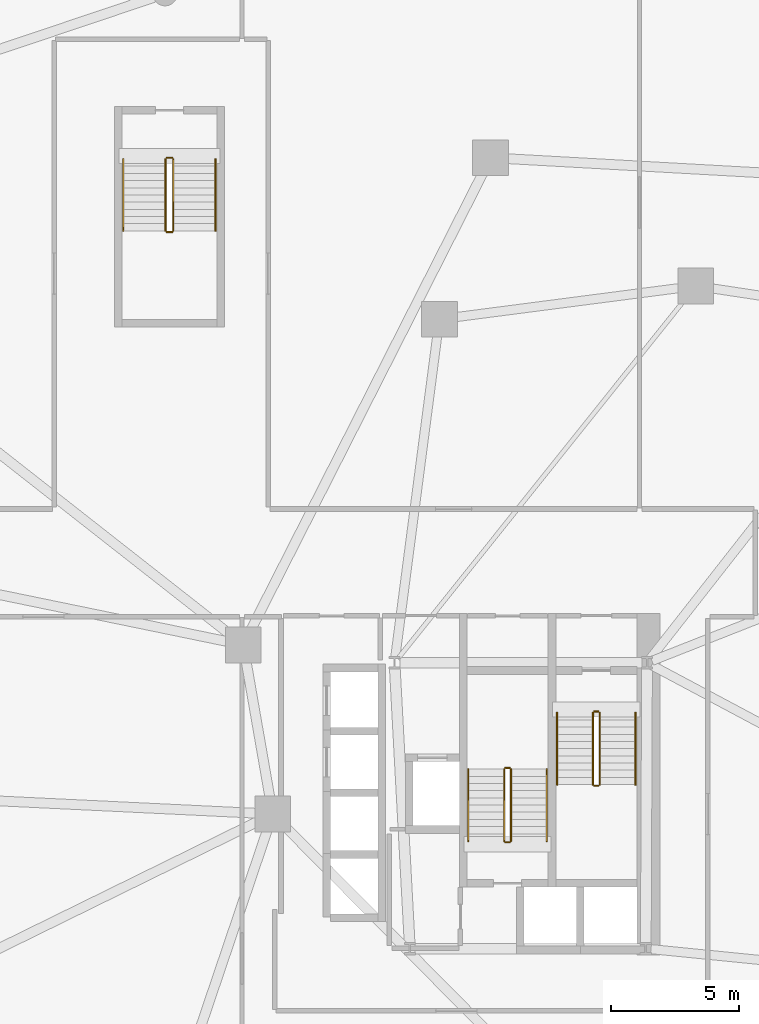
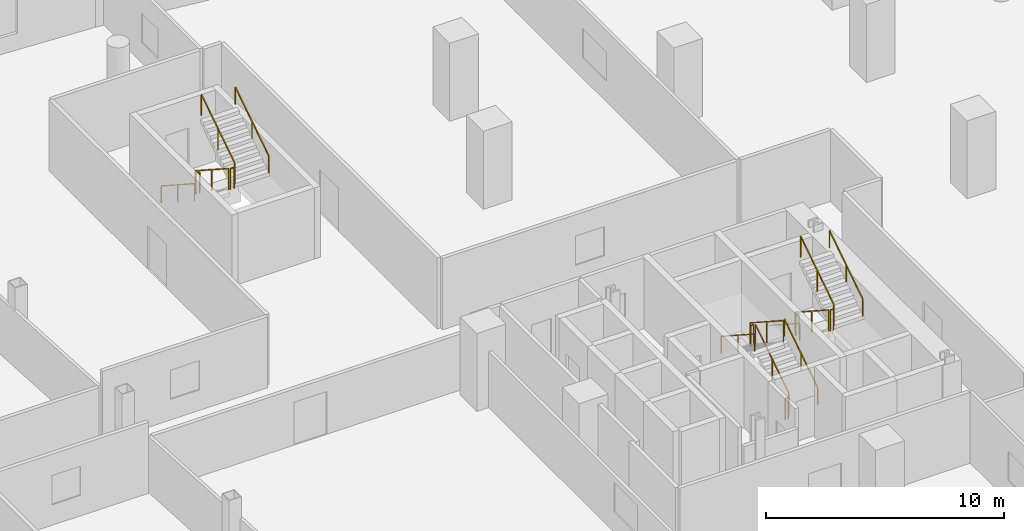
# One storey, part 19 of 19: 18 railings.
"""IFC4 building model written with IfcOpenShell, lengths in metres."""

from ifc_helpers import new_model, si_unit, direction, frame, origin, origin_2d, place, context, subcontext, project, spatial, rectangle, extrude, material, type_object, element, save


model = new_model("IFC4")

# Units and contexts
model_context = context("Model", 3, precision=1e-05, world=origin(), true_north=direction((0.0, 1.0)))
body_context = subcontext(model_context, "Body", "Model", "MODEL_VIEW")
ifc_project = project(units=[si_unit("LENGTHUNIT", "METRE"), si_unit("AREAUNIT", "SQUARE_METRE"), si_unit("VOLUMEUNIT", "CUBIC_METRE"), si_unit("PLANEANGLEUNIT", "RADIAN"), si_unit("MASSUNIT", "GRAM", prefix="KILO"), si_unit("THERMODYNAMICTEMPERATUREUNIT", "KELVIN"), si_unit("POWERUNIT", "WATT")], contexts=[model_context])

# Site, building, storey
site_placement = place(None, origin())
site = spatial("IfcSite", under=ifc_project, at=site_placement, CompositionType="ELEMENT")
building_placement = place(site_placement, origin())
building = spatial("IfcBuilding", under=site, at=building_placement, Name="Cundina Bronze Exchange", CompositionType="ELEMENT")
storey_placement = place(building_placement, frame((0.0, 0.0, 16.0)))
storey = spatial("IfcBuildingStorey", under=building, at=storey_placement, Name="L03", CompositionType="ELEMENT", Elevation=16.0)

# Railings
ifc_material = material(Name="Steel ASTM A36 Painted", Category="steel")
railing_type_1 = type_object("IfcRailingType", Name="RLG-HND-900", PredefinedType="HANDRAIL", material=ifc_material)
railing_1_placement = place(storey_placement, frame((27.7900390625, -5.85009765625, 0.181884765625)))
element("IfcRailing", 1, at=railing_1_placement, inside=storey, type_object=railing_type_1, Name="L03 ST-E1 stair handrail 1", PredefinedType="HANDRAIL", context=body_context, shape_type="SweptSolid", body=[
    extrude(rectangle(XDim=0.048095703125, YDim=0.048095703125, at=origin_2d()), frame((0.0, 0.0, 0.8759765625), z_axis=(0.0, -0.83868413941, 0.544618136222), x_axis=(1.0, 0.0, 0.0)), (0.0, 0.0, 1.0), 3.33837890625),
    extrude(rectangle(XDim=0.0419921875, YDim=0.0419921875, at=origin_2d()), origin(), (0.0, 0.0, 1.0), 0.851806640625),
    extrude(rectangle(XDim=0.0419921875, YDim=0.0419921875, at=origin_2d()), frame((0.0, -1.39990234375, 0.9091796875)), (0.0, 0.0, 1.0), 0.851806640625),
    extrude(rectangle(XDim=0.0419921875, YDim=0.0419921875, at=origin_2d()), frame((0.0, -2.7998046875, 1.818115234375)), (0.0, 0.0, 1.0), 0.851806640625),
])
railing_2_placement = place(storey_placement, frame((30.85009765625, -8.64990234375, 2.181884765625)))
element("IfcRailing", 2, at=railing_2_placement, inside=storey, type_object=railing_type_1, Name="L03 ST-E1 stair handrail 2", PredefinedType="HANDRAIL", context=body_context, shape_type="SweptSolid", body=[
    extrude(rectangle(XDim=0.048095703125, YDim=0.048095703125, at=origin_2d()), frame((0.0, 0.0, 0.8759765625), z_axis=(0.0, 0.83868413941, 0.544618136222), x_axis=(-1.0, 0.0, 0.0)), (0.0, 0.0, 1.0), 3.33837890625),
    extrude(rectangle(XDim=0.0419921875, YDim=0.0419921875, at=origin_2d()), origin(), (0.0, 0.0, 1.0), 0.851806640625),
    extrude(rectangle(XDim=0.0419921875, YDim=0.0419921875, at=origin_2d()), frame((0.0, 1.39990234375, 0.9091796875)), (0.0, 0.0, 1.0), 0.851806640625),
    extrude(rectangle(XDim=0.0419921875, YDim=0.0419921875, at=origin_2d()), frame((0.0, 2.7998046875, 1.818115234375)), (0.0, 0.0, 1.0), 0.851806640625),
])
railing_3_placement = place(storey_placement, frame((27.389892578125, -10.85009765625, 0.181884765625)))
element("IfcRailing", 3, at=railing_3_placement, inside=storey, type_object=railing_type_1, Name="L03 ST-E2 stair handrail 1", PredefinedType="HANDRAIL", context=body_context, shape_type="SweptSolid", body=[
    extrude(rectangle(XDim=0.048095703125, YDim=0.048095703125, at=origin_2d()), frame((0.0, 0.0, 0.8759765625), z_axis=(0.0, 0.838705829183, 0.544584733623), x_axis=(-1.0, 0.0, 0.0)), (0.0, 0.0, 1.0), 3.338623046875),
    extrude(rectangle(XDim=0.0419921875, YDim=0.0419921875, at=origin_2d()), origin(), (0.0, 0.0, 1.0), 0.851806640625),
    extrude(rectangle(XDim=0.0419921875, YDim=0.0419921875, at=origin_2d()), frame((0.0, 1.39990234375, 0.9091796875)), (0.0, 0.0, 1.0), 0.851806640625),
    extrude(rectangle(XDim=0.0419921875, YDim=0.0419921875, at=origin_2d()), frame((0.0, 2.800048828125, 1.818115234375)), (0.0, 0.0, 1.0), 0.851806640625),
])
for number, where, name in (
    (4, (24.330078125, -8.050048828125, 2.181884765625), "L03 ST-E2 stair handrail 2"),
    (5, (10.8701171875, 15.75, 0.181884765625), "L03 ST-PE stair handrail 1"),
):
    element("IfcRailing", number, at=place(storey_placement, frame(where)), inside=storey, type_object=railing_type_1, Name=name, PredefinedType="HANDRAIL", context=body_context, shape_type="SweptSolid", body=[
        extrude(rectangle(XDim=0.048095703125, YDim=0.048095703125, at=origin_2d()), frame((0.0, 0.0, 0.8759765625), z_axis=(0.0, -0.838705829183, 0.544584733623), x_axis=(1.0, 0.0, 0.0)), (0.0, 0.0, 1.0), 3.338623046875),
        extrude(rectangle(XDim=0.0419921875, YDim=0.0419921875, at=origin_2d()), origin(), (0.0, 0.0, 1.0), 0.851806640625),
        extrude(rectangle(XDim=0.0419921875, YDim=0.0419921875, at=origin_2d()), frame((0.0, -1.39990234375, 0.9091796875)), (0.0, 0.0, 1.0), 0.851806640625),
        extrude(rectangle(XDim=0.0419921875, YDim=0.0419921875, at=origin_2d()), frame((0.0, -2.800048828125, 1.818115234375)), (0.0, 0.0, 1.0), 0.851806640625),
    ])
railing_4_placement = place(storey_placement, frame((14.469970703125, 12.949951171875, 2.181884765625)))
element("IfcRailing", 6, at=railing_4_placement, inside=storey, type_object=railing_type_1, Name="L03 ST-PE stair handrail 2", PredefinedType="HANDRAIL", context=body_context, shape_type="SweptSolid", body=[
    extrude(rectangle(XDim=0.048095703125, YDim=0.048095703125, at=origin_2d()), frame((0.0, 0.0, 0.8759765625), z_axis=(0.0, 0.838705829183, 0.544584733623), x_axis=(-1.0, 0.0, 0.0)), (0.0, 0.0, 1.0), 3.338623046875),
    extrude(rectangle(XDim=0.0419921875, YDim=0.0419921875, at=origin_2d()), origin(), (0.0, 0.0, 1.0), 0.851806640625),
    extrude(rectangle(XDim=0.0419921875, YDim=0.0419921875, at=origin_2d()), frame((0.0, 1.39990234375, 0.9091796875)), (0.0, 0.0, 1.0), 0.851806640625),
    extrude(rectangle(XDim=0.0419921875, YDim=0.0419921875, at=origin_2d()), frame((0.0, 2.800048828125, 1.818115234375)), (0.0, 0.0, 1.0), 0.851806640625),
])
railing_type_2 = type_object("IfcRailingType", Name="RLG-STG-1100", PredefinedType="GUARDRAIL", material=ifc_material)
railing_5_placement = place(storey_placement, frame((29.18994140625, -5.85009765625, 0.181884765625)))
element("IfcRailing", 7, at=railing_5_placement, inside=storey, type_object=railing_type_2, Name="L03 ST-E1 stair guard 1", PredefinedType="GUARDRAIL", context=body_context, shape_type="SweptSolid", body=[
    extrude(rectangle(XDim=0.048095703125, YDim=0.048095703125, at=origin_2d()), frame((0.0, 0.0, 1.076171875), z_axis=(0.0, -0.83868413941, 0.544618136222), x_axis=(1.0, 0.0, 0.0)), (0.0, 0.0, 1.0), 3.33837890625),
    extrude(rectangle(XDim=0.0419921875, YDim=0.0419921875, at=origin_2d()), origin(), (0.0, 0.0, 1.0), 1.052001953125),
    extrude(rectangle(XDim=0.0419921875, YDim=0.0419921875, at=origin_2d()), frame((0.0, -1.39990234375, 0.9091796875)), (0.0, 0.0, 1.0), 1.052001953125),
    extrude(rectangle(XDim=0.0419921875, YDim=0.0419921875, at=origin_2d()), frame((0.0, -2.7998046875, 1.818115234375)), (0.0, 0.0, 1.0), 1.052001953125),
])
railing_6_placement = place(storey_placement, frame((29.239990234375, -8.699951171875, 2.0)))
element("IfcRailing", 8, at=railing_6_placement, inside=storey, type_object=railing_type_2, Name="L03 ST-E1 stair guard 2", PredefinedType="GUARDRAIL", context=body_context, shape_type="SweptSolid", body=[
    extrude(rectangle(XDim=0.048095703125, YDim=0.048095703125, at=origin_2d()), frame((0.0, 0.0, 1.076171875), z_axis=(1.0, 0.0, 0.0), x_axis=(0.0, 1.0, 0.0)), (0.0, 0.0, 1.0), 0.159912109375),
    extrude(rectangle(XDim=0.0419921875, YDim=0.0419921875, at=origin_2d()), origin(), (0.0, 0.0, 1.0), 1.052001953125),
    extrude(rectangle(XDim=0.0419921875, YDim=0.0419921875, at=origin_2d()), frame((0.159912109375, 0.0, 0.0)), (0.0, 0.0, 1.0), 1.052001953125),
])
railing_7_placement = place(storey_placement, frame((29.449951171875, -8.64990234375, 2.181884765625)))
element("IfcRailing", 9, at=railing_7_placement, inside=storey, type_object=railing_type_2, Name="L03 ST-E1 stair guard 3", PredefinedType="GUARDRAIL", context=body_context, shape_type="SweptSolid", body=[
    extrude(rectangle(XDim=0.048095703125, YDim=0.048095703125, at=origin_2d()), frame((0.0, 0.0, 1.076171875), z_axis=(0.0, 0.83868413941, 0.544618136222), x_axis=(-1.0, 0.0, 0.0)), (0.0, 0.0, 1.0), 3.33837890625),
    extrude(rectangle(XDim=0.0419921875, YDim=0.0419921875, at=origin_2d()), origin(), (0.0, 0.0, 1.0), 1.052001953125),
    extrude(rectangle(XDim=0.0419921875, YDim=0.0419921875, at=origin_2d()), frame((0.0, 1.39990234375, 0.9091796875)), (0.0, 0.0, 1.0), 1.052001953125),
    extrude(rectangle(XDim=0.0419921875, YDim=0.0419921875, at=origin_2d()), frame((0.0, 2.7998046875, 1.818115234375)), (0.0, 0.0, 1.0), 1.052001953125),
])
railing_8_placement = place(storey_placement, frame((29.239990234375, -5.800048828125, 0.0)))
element("IfcRailing", 10, at=railing_8_placement, inside=storey, type_object=railing_type_2, Name="L03 ST-E1 stair guard 4", PredefinedType="GUARDRAIL", context=body_context, shape_type="SweptSolid", body=[
    extrude(rectangle(XDim=0.048095703125, YDim=0.048095703125, at=origin_2d()), frame((0.0, 0.0, 1.076171875), z_axis=(1.0, 0.0, 0.0), x_axis=(0.0, 1.0, 0.0)), (0.0, 0.0, 1.0), 0.159912109375),
    extrude(rectangle(XDim=0.0419921875, YDim=0.0419921875, at=origin_2d()), origin(), (0.0, 0.0, 1.0), 1.052001953125),
    extrude(rectangle(XDim=0.0419921875, YDim=0.0419921875, at=origin_2d()), frame((0.159912109375, 0.0, 0.0)), (0.0, 0.0, 1.0), 1.052001953125),
])
railing_9_placement = place(storey_placement, frame((25.989990234375, -10.85009765625, 0.181884765625)))
element("IfcRailing", 11, at=railing_9_placement, inside=storey, type_object=railing_type_2, Name="L03 ST-E2 stair guard 1", PredefinedType="GUARDRAIL", context=body_context, shape_type="SweptSolid", body=[
    extrude(rectangle(XDim=0.048095703125, YDim=0.048095703125, at=origin_2d()), frame((0.0, 0.0, 1.076171875), z_axis=(0.0, 0.838705829183, 0.544584733623), x_axis=(-1.0, 0.0, 0.0)), (0.0, 0.0, 1.0), 3.338623046875),
    extrude(rectangle(XDim=0.0419921875, YDim=0.0419921875, at=origin_2d()), origin(), (0.0, 0.0, 1.0), 1.052001953125),
    extrude(rectangle(XDim=0.0419921875, YDim=0.0419921875, at=origin_2d()), frame((0.0, 1.39990234375, 0.9091796875)), (0.0, 0.0, 1.0), 1.052001953125),
    extrude(rectangle(XDim=0.0419921875, YDim=0.0419921875, at=origin_2d()), frame((0.0, 2.800048828125, 1.818115234375)), (0.0, 0.0, 1.0), 1.052001953125),
])
railing_10_placement = place(storey_placement, frame((25.93994140625, -8.0, 2.0)))
element("IfcRailing", 12, at=railing_10_placement, inside=storey, type_object=railing_type_2, Name="L03 ST-E2 stair guard 2", PredefinedType="GUARDRAIL", context=body_context, shape_type="SweptSolid", body=[
    extrude(rectangle(XDim=0.048095703125, YDim=0.048095703125, at=origin_2d()), frame((0.0, 0.0, 1.076171875), z_axis=(-1.0, 0.0, 0.0), x_axis=(0.0, -1.0, 0.0)), (0.0, 0.0, 1.0), 0.159912109375),
    extrude(rectangle(XDim=0.0419921875, YDim=0.0419921875, at=origin_2d()), origin(), (0.0, 0.0, 1.0), 1.052001953125),
    extrude(rectangle(XDim=0.0419921875, YDim=0.0419921875, at=origin_2d()), frame((-0.159912109375, 0.0, 0.0)), (0.0, 0.0, 1.0), 1.052001953125),
])
railing_11_placement = place(storey_placement, frame((25.72998046875, -8.050048828125, 2.181884765625)))
element("IfcRailing", 13, at=railing_11_placement, inside=storey, type_object=railing_type_2, Name="L03 ST-E2 stair guard 3", PredefinedType="GUARDRAIL", context=body_context, shape_type="SweptSolid", body=[
    extrude(rectangle(XDim=0.048095703125, YDim=0.048095703125, at=origin_2d()), frame((0.0, 0.0, 1.076171875), z_axis=(0.0, -0.838705829183, 0.544584733623), x_axis=(1.0, 0.0, 0.0)), (0.0, 0.0, 1.0), 3.338623046875),
    extrude(rectangle(XDim=0.0419921875, YDim=0.0419921875, at=origin_2d()), origin(), (0.0, 0.0, 1.0), 1.052001953125),
    extrude(rectangle(XDim=0.0419921875, YDim=0.0419921875, at=origin_2d()), frame((0.0, -1.39990234375, 0.9091796875)), (0.0, 0.0, 1.0), 1.052001953125),
    extrude(rectangle(XDim=0.0419921875, YDim=0.0419921875, at=origin_2d()), frame((0.0, -2.800048828125, 1.818115234375)), (0.0, 0.0, 1.0), 1.052001953125),
])
railing_12_placement = place(storey_placement, frame((25.93994140625, -10.89990234375, 0.0)))
element("IfcRailing", 14, at=railing_12_placement, inside=storey, type_object=railing_type_2, Name="L03 ST-E2 stair guard 4", PredefinedType="GUARDRAIL", context=body_context, shape_type="SweptSolid", body=[
    extrude(rectangle(XDim=0.048095703125, YDim=0.048095703125, at=origin_2d()), frame((0.0, 0.0, 1.076171875), z_axis=(-1.0, 0.0, 0.0), x_axis=(0.0, -1.0, 0.0)), (0.0, 0.0, 1.0), 0.159912109375),
    extrude(rectangle(XDim=0.0419921875, YDim=0.0419921875, at=origin_2d()), origin(), (0.0, 0.0, 1.0), 1.052001953125),
    extrude(rectangle(XDim=0.0419921875, YDim=0.0419921875, at=origin_2d()), frame((-0.159912109375, 0.0, 0.0)), (0.0, 0.0, 1.0), 1.052001953125),
])
railing_13_placement = place(storey_placement, frame((12.52001953125, 15.75, 0.181884765625)))
element("IfcRailing", 15, at=railing_13_placement, inside=storey, type_object=railing_type_2, Name="L03 ST-PE stair guard 1", PredefinedType="GUARDRAIL", context=body_context, shape_type="SweptSolid", body=[
    extrude(rectangle(XDim=0.048095703125, YDim=0.048095703125, at=origin_2d()), frame((0.0, 0.0, 1.076171875), z_axis=(0.0, -0.838705829183, 0.544584733623), x_axis=(1.0, 0.0, 0.0)), (0.0, 0.0, 1.0), 3.338623046875),
    extrude(rectangle(XDim=0.0419921875, YDim=0.0419921875, at=origin_2d()), origin(), (0.0, 0.0, 1.0), 1.052001953125),
    extrude(rectangle(XDim=0.0419921875, YDim=0.0419921875, at=origin_2d()), frame((0.0, -1.39990234375, 0.9091796875)), (0.0, 0.0, 1.0), 1.052001953125),
    extrude(rectangle(XDim=0.0419921875, YDim=0.0419921875, at=origin_2d()), frame((0.0, -2.800048828125, 1.818115234375)), (0.0, 0.0, 1.0), 1.052001953125),
])
railing_14_placement = place(storey_placement, frame((12.570068359375, 12.89990234375, 2.0)))
element("IfcRailing", 16, at=railing_14_placement, inside=storey, type_object=railing_type_2, Name="L03 ST-PE stair guard 2", PredefinedType="GUARDRAIL", context=body_context, shape_type="SweptSolid", body=[
    extrude(rectangle(XDim=0.048095703125, YDim=0.048095703125, at=origin_2d()), frame((0.0, 0.0, 1.076171875), z_axis=(1.0, 0.0, 0.0), x_axis=(0.0, 1.0, 0.0)), (0.0, 0.0, 1.0), 0.199951171875),
    extrude(rectangle(XDim=0.0419921875, YDim=0.0419921875, at=origin_2d()), origin(), (0.0, 0.0, 1.0), 1.052001953125),
    extrude(rectangle(XDim=0.0419921875, YDim=0.0419921875, at=origin_2d()), frame((0.199951171875, 0.0, 0.0)), (0.0, 0.0, 1.0), 1.052001953125),
])
railing_15_placement = place(storey_placement, frame((12.820068359375, 12.949951171875, 2.181884765625)))
element("IfcRailing", 17, at=railing_15_placement, inside=storey, type_object=railing_type_2, Name="L03 ST-PE stair guard 3", PredefinedType="GUARDRAIL", context=body_context, shape_type="SweptSolid", body=[
    extrude(rectangle(XDim=0.048095703125, YDim=0.048095703125, at=origin_2d()), frame((0.0, 0.0, 1.076171875), z_axis=(0.0, 0.838705829183, 0.544584733623), x_axis=(-1.0, 0.0, 0.0)), (0.0, 0.0, 1.0), 3.338623046875),
    extrude(rectangle(XDim=0.0419921875, YDim=0.0419921875, at=origin_2d()), origin(), (0.0, 0.0, 1.0), 1.052001953125),
    extrude(rectangle(XDim=0.0419921875, YDim=0.0419921875, at=origin_2d()), frame((0.0, 1.39990234375, 0.9091796875)), (0.0, 0.0, 1.0), 1.052001953125),
    extrude(rectangle(XDim=0.0419921875, YDim=0.0419921875, at=origin_2d()), frame((0.0, 2.800048828125, 1.818115234375)), (0.0, 0.0, 1.0), 1.052001953125),
])
railing_16_placement = place(storey_placement, frame((12.570068359375, 15.800048828125, 0.0)))
element("IfcRailing", 18, at=railing_16_placement, inside=storey, type_object=railing_type_2, Name="L03 ST-PE stair guard 4", PredefinedType="GUARDRAIL", context=body_context, shape_type="SweptSolid", body=[
    extrude(rectangle(XDim=0.048095703125, YDim=0.048095703125, at=origin_2d()), frame((0.0, 0.0, 1.076171875), z_axis=(1.0, 0.0, 0.0), x_axis=(0.0, 1.0, 0.0)), (0.0, 0.0, 1.0), 0.199951171875),
    extrude(rectangle(XDim=0.0419921875, YDim=0.0419921875, at=origin_2d()), origin(), (0.0, 0.0, 1.0), 1.052001953125),
    extrude(rectangle(XDim=0.0419921875, YDim=0.0419921875, at=origin_2d()), frame((0.199951171875, 0.0, 0.0)), (0.0, 0.0, 1.0), 1.052001953125),
])

save(model, "model.ifc")
